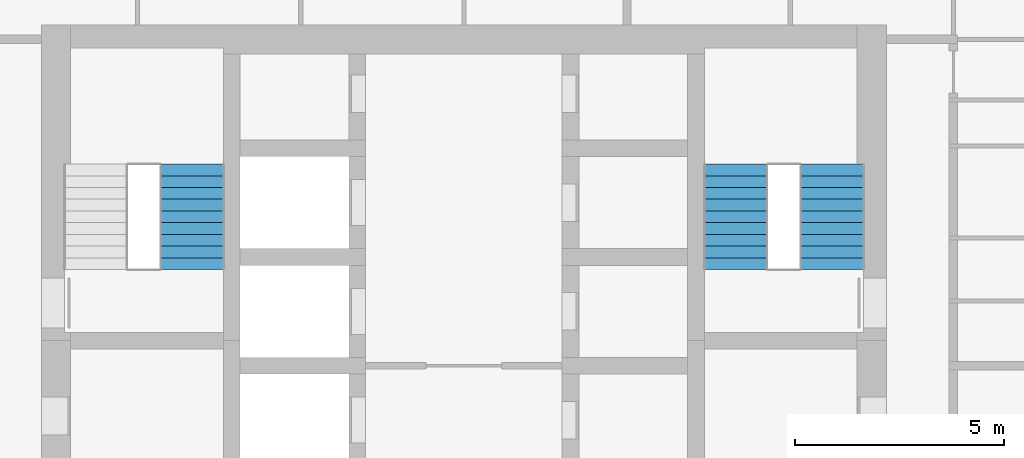
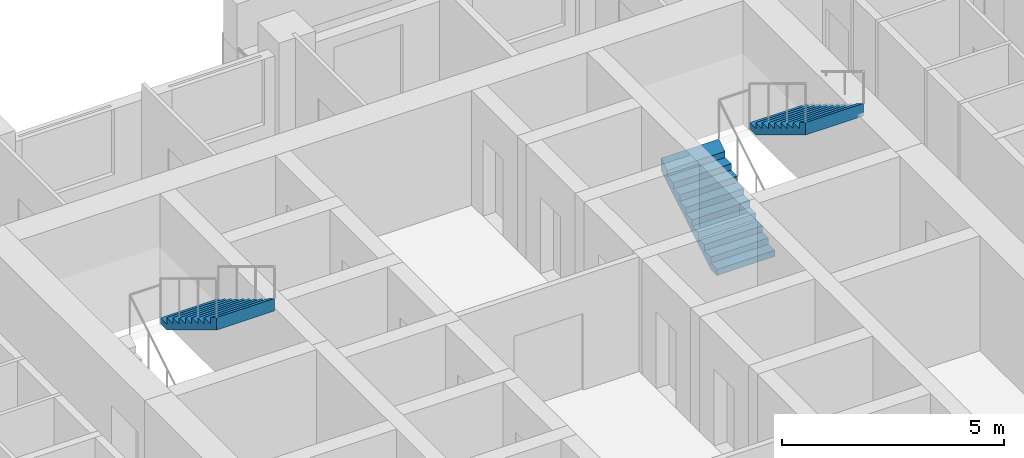
# One storey, part 16 of 18: 3 stair flights, 2 elements without a shape of their own.
"""IFC4 building model written with IfcOpenShell, lengths in metres."""

from ifc_helpers import new_model, si_unit, direction, frame, origin, place, context, subcontext, project, spatial, triangles, material, type_object, element, aggregate, save


model = new_model("IFC4")

# Units and contexts
model_context = context("Model", 3, precision=1e-05, world=origin(), true_north=direction((0.0, 1.0)))
body_context = subcontext(model_context, "Body", "Model", "MODEL_VIEW")
ifc_project = project(units=[si_unit("LENGTHUNIT", "METRE"), si_unit("AREAUNIT", "SQUARE_METRE"), si_unit("VOLUMEUNIT", "CUBIC_METRE"), si_unit("PLANEANGLEUNIT", "RADIAN"), si_unit("MASSUNIT", "GRAM", prefix="KILO")], contexts=[model_context])

# Site, building, storey
site_placement = place(None, origin())
site = spatial("IfcSite", under=ifc_project, at=site_placement, CompositionType="ELEMENT")
building_placement = place(site_placement, origin())
building = spatial("IfcBuilding", under=site, at=building_placement, Name="Ludao Terraces", CompositionType="ELEMENT")
storey_placement = place(building_placement, frame((0.0, 0.0, 75.0)))
storey = spatial("IfcBuildingStorey", under=building, at=storey_placement, Name="L20", CompositionType="ELEMENT", Elevation=75.0)

# Stair, stair flight
ifc_material = material(Name="Concrete C40", Category="concrete")
stair_type = type_object("IfcStairType", Name="INT Stair", PredefinedType="HALF_TURN_STAIR", material=ifc_material)
stair_1_placement = place(storey_placement, origin())
stair_1 = element("IfcStair", 1, at=stair_1_placement, inside=storey, type_object=stair_type, Name="EXIT STAIR 1", PredefinedType="HALF_TURN_STAIR")
stair_flight_type = type_object("IfcStairFlightType", Name="INT Stair flight", PredefinedType="STRAIGHT", material=ifc_material)
stair_flight_1_placement = place(storey_placement, frame((78.5, 81.52001953125, 1.699951171875), z_axis=(0.0, 0.0, 1.0), x_axis=(0.0, -1.0, 0.0)))
stair_flight_1 = element("IfcStairFlight", 2, at=stair_flight_1_placement, type_object=stair_flight_type, Name="ST1 flight 2", NumberOfRisers=10, NumberOfTreads=9, PredefinedType="STRAIGHT", RiserHeight=0.17, TreadLength=0.28, context=body_context, shape_type="Tessellation", body=[
    triangles([(0.0, -0.75, 0.0), (0.0, -0.5, 0.0), (0.0, -0.25, 0.0), (0.0, 0.0, 0.0), (0.0, 0.25, 0.0), (0.0, 0.5, 0.0), (0.0, 0.75, 0.0), (0.0, -0.75, 0.169921875), (0.0, -0.5, 0.169921875), (0.0, -0.25, 0.169921875), (0.0, 0.0, 0.169921875), (0.0, 0.25, 0.169921875), (0.0, 0.5, 0.169921875), (0.0, 0.75, 0.169921875), (0.280029296875, -0.75, 0.169921875), (0.280029296875, -0.5, 0.169921875), (0.280029296875, -0.25, 0.169921875), (0.280029296875, 0.0, 0.169921875), (0.280029296875, 0.25, 0.169921875), (0.280029296875, 0.5, 0.169921875), (0.280029296875, 0.75, 0.169921875), (0.280029296875, -0.75, 0.340087890625), (0.280029296875, -0.5, 0.340087890625), (0.280029296875, -0.25, 0.340087890625), (0.280029296875, 0.0, 0.340087890625), (0.280029296875, 0.25, 0.340087890625), (0.280029296875, 0.5, 0.340087890625), (0.280029296875, 0.75, 0.340087890625), (0.56005859375, -0.75, 0.340087890625), (0.56005859375, -0.5, 0.340087890625), (0.56005859375, -0.25, 0.340087890625), (0.56005859375, 0.0, 0.340087890625), (0.56005859375, 0.25, 0.340087890625), (0.56005859375, 0.5, 0.340087890625), (0.56005859375, 0.75, 0.340087890625), (0.56005859375, -0.75, 0.510009765625), (0.56005859375, -0.5, 0.510009765625), (0.56005859375, -0.25, 0.510009765625), (0.56005859375, 0.0, 0.510009765625), (0.56005859375, 0.25, 0.510009765625), (0.56005859375, 0.5, 0.510009765625), (0.56005859375, 0.75, 0.510009765625), (0.840087890625, -0.75, 0.510009765625), (0.840087890625, -0.5, 0.510009765625), (0.840087890625, -0.25, 0.510009765625), (0.840087890625, 0.0, 0.510009765625), (0.840087890625, 0.25, 0.510009765625), (0.840087890625, 0.5, 0.510009765625), (0.840087890625, 0.75, 0.510009765625), (0.840087890625, -0.75, 0.679931640625), (0.840087890625, -0.5, 0.679931640625), (0.840087890625, -0.25, 0.679931640625), (0.840087890625, 0.0, 0.679931640625), (0.840087890625, 0.25, 0.679931640625), (0.840087890625, 0.5, 0.679931640625), (0.840087890625, 0.75, 0.679931640625), (1.1201171875, -0.75, 0.679931640625), (1.1201171875, -0.5, 0.679931640625), (1.1201171875, -0.25, 0.679931640625), (1.1201171875, 0.0, 0.679931640625), (1.1201171875, 0.25, 0.679931640625), (1.1201171875, 0.5, 0.679931640625), (1.1201171875, 0.75, 0.679931640625), (1.1201171875, -0.75, 0.85009765625), (1.1201171875, -0.5, 0.85009765625), (1.1201171875, -0.25, 0.85009765625), (1.1201171875, 0.0, 0.85009765625), (1.1201171875, 0.25, 0.85009765625), (1.1201171875, 0.5, 0.85009765625), (1.1201171875, 0.75, 0.85009765625), (1.39990234375, -0.75, 0.85009765625), (1.39990234375, -0.5, 0.85009765625), (1.39990234375, -0.25, 0.85009765625), (1.39990234375, 0.0, 0.85009765625), (1.39990234375, 0.25, 0.85009765625), (1.39990234375, 0.5, 0.85009765625), (1.39990234375, 0.75, 0.85009765625), (1.39990234375, -0.75, 1.02001953125), (1.39990234375, -0.5, 1.02001953125), (1.39990234375, -0.25, 1.02001953125), (1.39990234375, 0.0, 1.02001953125), (1.39990234375, 0.25, 1.02001953125), (1.39990234375, 0.5, 1.02001953125), (1.39990234375, 0.75, 1.02001953125), (1.679931640625, -0.75, 1.02001953125), (1.679931640625, -0.5, 1.02001953125), (1.679931640625, -0.25, 1.02001953125), (1.679931640625, 0.0, 1.02001953125), (1.679931640625, 0.25, 1.02001953125), (1.679931640625, 0.5, 1.02001953125), (1.679931640625, 0.75, 1.02001953125), (1.679931640625, -0.75, 1.18994140625), (1.679931640625, -0.5, 1.18994140625), (1.679931640625, -0.25, 1.18994140625), (1.679931640625, 0.0, 1.18994140625), (1.679931640625, 0.25, 1.18994140625), (1.679931640625, 0.5, 1.18994140625), (1.679931640625, 0.75, 1.18994140625), (1.9599609375, -0.75, 1.18994140625), (1.9599609375, -0.5, 1.18994140625), (1.9599609375, -0.25, 1.18994140625), (1.9599609375, 0.0, 1.18994140625), (1.9599609375, 0.25, 1.18994140625), (1.9599609375, 0.5, 1.18994140625), (1.9599609375, 0.75, 1.18994140625), (1.9599609375, -0.75, 1.360107421875), (1.9599609375, -0.5, 1.360107421875), (1.9599609375, -0.25, 1.360107421875), (1.9599609375, 0.0, 1.360107421875), (1.9599609375, 0.25, 1.360107421875), (1.9599609375, 0.5, 1.360107421875), (1.9599609375, 0.75, 1.360107421875), (2.239990234375, -0.75, 1.360107421875), (2.239990234375, -0.5, 1.360107421875), (2.239990234375, -0.25, 1.360107421875), (2.239990234375, 0.0, 1.360107421875), (2.239990234375, 0.25, 1.360107421875), (2.239990234375, 0.5, 1.360107421875), (2.239990234375, 0.75, 1.360107421875), (2.239990234375, -0.75, 1.530029296875), (2.239990234375, -0.5, 1.530029296875), (2.239990234375, -0.25, 1.530029296875), (2.239990234375, 0.0, 1.530029296875), (2.239990234375, 0.25, 1.530029296875), (2.239990234375, 0.5, 1.530029296875), (2.239990234375, 0.75, 1.530029296875), (2.52001953125, -0.75, 1.699951171875), (2.52001953125, -0.5, 1.699951171875), (2.52001953125, -0.25, 1.699951171875), (2.52001953125, 0.0, 1.699951171875), (2.52001953125, 0.25, 1.699951171875), (2.52001953125, 0.5, 1.699951171875), (2.52001953125, 0.75, 1.699951171875), (2.52001953125, -0.75, 1.354736328125), (2.52001953125, -0.5, 1.354736328125), (2.52001953125, -0.25, 1.354736328125), (2.52001953125, 0.0, 1.354736328125), (2.52001953125, 0.25, 1.354736328125), (2.52001953125, 0.5, 1.354736328125), (2.52001953125, 0.75, 1.354736328125), (0.288818359375, -0.75, 0.0), (0.288818359375, -0.5, 0.0), (0.288818359375, -0.25, 0.0), (0.288818359375, 0.0, 0.0), (0.288818359375, 0.25, 0.0), (0.288818359375, 0.5, 0.0), (0.288818359375, 0.75, 0.0)], [[1, 141, 134], [7, 140, 147], [134, 127, 120], [140, 126, 133], [134, 120, 113], [140, 119, 126], [134, 113, 106], [140, 112, 119], [134, 106, 99], [140, 105, 112], [99, 92, 85], [105, 91, 98], [134, 99, 85], [140, 91, 105], [85, 78, 71], [91, 77, 84], [134, 85, 71], [140, 77, 91], [71, 64, 57], [77, 63, 70], [134, 71, 57], [140, 63, 77], [57, 50, 43], [63, 49, 56], [134, 57, 43], [140, 49, 63], [43, 36, 29], [49, 35, 42], [134, 43, 29], [140, 35, 49], [29, 22, 15], [35, 21, 28], [134, 29, 15], [140, 21, 35], [1, 134, 15], [7, 21, 140], [15, 8, 1], [21, 7, 14], [1, 9, 2], [1, 8, 9], [2, 10, 3], [2, 9, 10], [3, 11, 4], [3, 10, 11], [4, 12, 5], [4, 11, 12], [5, 13, 6], [5, 12, 13], [6, 14, 7], [6, 13, 14], [8, 16, 9], [8, 15, 16], [9, 17, 10], [9, 16, 17], [10, 18, 11], [10, 17, 18], [11, 19, 12], [11, 18, 19], [12, 20, 13], [12, 19, 20], [13, 21, 14], [13, 20, 21], [15, 23, 16], [15, 22, 23], [16, 24, 17], [16, 23, 24], [17, 25, 18], [17, 24, 25], [18, 26, 19], [18, 25, 26], [19, 27, 20], [19, 26, 27], [20, 28, 21], [20, 27, 28], [22, 30, 23], [22, 29, 30], [23, 31, 24], [23, 30, 31], [24, 32, 25], [24, 31, 32], [25, 33, 26], [25, 32, 33], [26, 34, 27], [26, 33, 34], [27, 35, 28], [27, 34, 35], [29, 37, 30], [29, 36, 37], [30, 38, 31], [30, 37, 38], [31, 39, 32], [31, 38, 39], [32, 40, 33], [32, 39, 40], [33, 41, 34], [33, 40, 41], [34, 42, 35], [34, 41, 42], [36, 44, 37], [36, 43, 44], [37, 45, 38], [37, 44, 45], [38, 46, 39], [38, 45, 46], [39, 47, 40], [39, 46, 47], [40, 48, 41], [40, 47, 48], [41, 49, 42], [41, 48, 49], [43, 51, 44], [43, 50, 51], [44, 52, 45], [44, 51, 52], [45, 53, 46], [45, 52, 53], [46, 54, 47], [46, 53, 54], [47, 55, 48], [47, 54, 55], [48, 56, 49], [48, 55, 56], [50, 58, 51], [50, 57, 58], [51, 59, 52], [51, 58, 59], [52, 60, 53], [52, 59, 60], [53, 61, 54], [53, 60, 61], [54, 62, 55], [54, 61, 62], [55, 63, 56], [55, 62, 63], [57, 65, 58], [57, 64, 65], [58, 66, 59], [58, 65, 66], [59, 67, 60], [59, 66, 67], [60, 68, 61], [60, 67, 68], [61, 69, 62], [61, 68, 69], [62, 70, 63], [62, 69, 70], [64, 72, 65], [64, 71, 72], [65, 73, 66], [65, 72, 73], [66, 74, 67], [66, 73, 74], [67, 75, 68], [67, 74, 75], [68, 76, 69], [68, 75, 76], [69, 77, 70], [69, 76, 77], [71, 79, 72], [71, 78, 79], [72, 80, 73], [72, 79, 80], [73, 81, 74], [73, 80, 81], [74, 82, 75], [74, 81, 82], [75, 83, 76], [75, 82, 83], [76, 84, 77], [76, 83, 84], [78, 86, 79], [78, 85, 86], [79, 87, 80], [79, 86, 87], [80, 88, 81], [80, 87, 88], [81, 89, 82], [81, 88, 89], [82, 90, 83], [82, 89, 90], [83, 91, 84], [83, 90, 91], [85, 93, 86], [85, 92, 93], [86, 94, 87], [86, 93, 94], [87, 95, 88], [87, 94, 95], [88, 96, 89], [88, 95, 96], [89, 97, 90], [89, 96, 97], [90, 98, 91], [90, 97, 98], [92, 100, 93], [92, 99, 100], [93, 101, 94], [93, 100, 101], [94, 102, 95], [94, 101, 102], [95, 103, 96], [95, 102, 103], [96, 104, 97], [96, 103, 104], [97, 105, 98], [97, 104, 105], [99, 107, 100], [99, 106, 107], [100, 108, 101], [100, 107, 108], [101, 109, 102], [101, 108, 109], [102, 110, 103], [102, 109, 110], [103, 111, 104], [103, 110, 111], [104, 112, 105], [104, 111, 112], [106, 114, 107], [106, 113, 114], [107, 115, 108], [107, 114, 115], [108, 116, 109], [108, 115, 116], [109, 117, 110], [109, 116, 117], [110, 118, 111], [110, 117, 118], [111, 119, 112], [111, 118, 119], [113, 121, 114], [113, 120, 121], [114, 122, 115], [114, 121, 122], [115, 123, 116], [115, 122, 123], [116, 124, 117], [116, 123, 124], [117, 125, 118], [117, 124, 125], [118, 126, 119], [118, 125, 126], [120, 128, 121], [120, 127, 128], [121, 129, 122], [121, 128, 129], [122, 130, 123], [122, 129, 130], [123, 131, 124], [123, 130, 131], [124, 132, 125], [124, 131, 132], [125, 133, 126], [125, 132, 133], [127, 135, 128], [127, 134, 135], [128, 136, 129], [128, 135, 136], [129, 137, 130], [129, 136, 137], [130, 138, 131], [130, 137, 138], [131, 139, 132], [131, 138, 139], [132, 140, 133], [132, 139, 140], [134, 142, 135], [134, 141, 142], [135, 143, 136], [135, 142, 143], [136, 144, 137], [136, 143, 144], [137, 145, 138], [137, 144, 145], [138, 146, 139], [138, 145, 146], [139, 147, 140], [139, 146, 147], [141, 2, 142], [141, 1, 2], [142, 3, 143], [142, 2, 3], [143, 4, 144], [143, 3, 4], [144, 5, 145], [144, 4, 5], [145, 6, 146], [145, 5, 6], [146, 7, 147], [146, 6, 7]], closed=True),
])
aggregate(stair_1, [stair_flight_1])

# Stair, stair flights
stair_2_placement = place(storey_placement, origin())
stair_2 = element("IfcStair", 3, at=stair_2_placement, inside=storey, type_object=stair_type, Name="EXIT STAIR 2", PredefinedType="HALF_TURN_STAIR")
stair_flight_2_placement = place(storey_placement, frame((91.5, 79.0, 0.0), z_axis=(0.0, 0.0, 1.0), x_axis=(0.0, 1.0, 0.0)))
stair_flight_2 = element("IfcStairFlight", 4, at=stair_flight_2_placement, type_object=stair_flight_type, Name="ST2 flight 1", NumberOfRisers=10, NumberOfTreads=9, PredefinedType="STRAIGHT", RiserHeight=0.17, TreadLength=0.28, context=body_context, shape_type="Tessellation", body=[
    triangles([(0.0, -0.75, 0.0), (0.0, -0.5, 0.0), (0.0, -0.25, 0.0), (0.0, 0.0, 0.0), (0.0, 0.25, 0.0), (0.0, 0.5, 0.0), (0.0, 0.75, 0.0), (0.0, -0.75, 0.169921875), (0.0, -0.5, 0.169921875), (0.0, -0.25, 0.169921875), (0.0, 0.0, 0.169921875), (0.0, 0.25, 0.169921875), (0.0, 0.5, 0.169921875), (0.0, 0.75, 0.169921875), (0.280029296875, -0.75, 0.169921875), (0.280029296875, -0.5, 0.169921875), (0.280029296875, -0.25, 0.169921875), (0.280029296875, 0.0, 0.169921875), (0.280029296875, 0.25, 0.169921875), (0.280029296875, 0.5, 0.169921875), (0.280029296875, 0.75, 0.169921875), (0.280029296875, -0.75, 0.340087890625), (0.280029296875, -0.5, 0.340087890625), (0.280029296875, -0.25, 0.340087890625), (0.280029296875, 0.0, 0.340087890625), (0.280029296875, 0.25, 0.340087890625), (0.280029296875, 0.5, 0.340087890625), (0.280029296875, 0.75, 0.340087890625), (0.56005859375, -0.75, 0.340087890625), (0.56005859375, -0.5, 0.340087890625), (0.56005859375, -0.25, 0.340087890625), (0.56005859375, 0.0, 0.340087890625), (0.56005859375, 0.25, 0.340087890625), (0.56005859375, 0.5, 0.340087890625), (0.56005859375, 0.75, 0.340087890625), (0.56005859375, -0.75, 0.510009765625), (0.56005859375, -0.5, 0.510009765625), (0.56005859375, -0.25, 0.510009765625), (0.56005859375, 0.0, 0.510009765625), (0.56005859375, 0.25, 0.510009765625), (0.56005859375, 0.5, 0.510009765625), (0.56005859375, 0.75, 0.510009765625), (0.840087890625, -0.75, 0.510009765625), (0.840087890625, -0.5, 0.510009765625), (0.840087890625, -0.25, 0.510009765625), (0.840087890625, 0.0, 0.510009765625), (0.840087890625, 0.25, 0.510009765625), (0.840087890625, 0.5, 0.510009765625), (0.840087890625, 0.75, 0.510009765625), (0.840087890625, -0.75, 0.679931640625), (0.840087890625, -0.5, 0.679931640625), (0.840087890625, -0.25, 0.679931640625), (0.840087890625, 0.0, 0.679931640625), (0.840087890625, 0.25, 0.679931640625), (0.840087890625, 0.5, 0.679931640625), (0.840087890625, 0.75, 0.679931640625), (1.1201171875, -0.75, 0.679931640625), (1.1201171875, -0.5, 0.679931640625), (1.1201171875, -0.25, 0.679931640625), (1.1201171875, 0.0, 0.679931640625), (1.1201171875, 0.25, 0.679931640625), (1.1201171875, 0.5, 0.679931640625), (1.1201171875, 0.75, 0.679931640625), (1.1201171875, -0.75, 0.85009765625), (1.1201171875, -0.5, 0.85009765625), (1.1201171875, -0.25, 0.85009765625), (1.1201171875, 0.0, 0.85009765625), (1.1201171875, 0.25, 0.85009765625), (1.1201171875, 0.5, 0.85009765625), (1.1201171875, 0.75, 0.85009765625), (1.39990234375, -0.75, 0.85009765625), (1.39990234375, -0.5, 0.85009765625), (1.39990234375, -0.25, 0.85009765625), (1.39990234375, 0.0, 0.85009765625), (1.39990234375, 0.25, 0.85009765625), (1.39990234375, 0.5, 0.85009765625), (1.39990234375, 0.75, 0.85009765625), (1.39990234375, -0.75, 1.02001953125), (1.39990234375, -0.5, 1.02001953125), (1.39990234375, -0.25, 1.02001953125), (1.39990234375, 0.0, 1.02001953125), (1.39990234375, 0.25, 1.02001953125), (1.39990234375, 0.5, 1.02001953125), (1.39990234375, 0.75, 1.02001953125), (1.679931640625, -0.75, 1.02001953125), (1.679931640625, -0.5, 1.02001953125), (1.679931640625, -0.25, 1.02001953125), (1.679931640625, 0.0, 1.02001953125), (1.679931640625, 0.25, 1.02001953125), (1.679931640625, 0.5, 1.02001953125), (1.679931640625, 0.75, 1.02001953125), (1.679931640625, -0.75, 1.18994140625), (1.679931640625, -0.5, 1.18994140625), (1.679931640625, -0.25, 1.18994140625), (1.679931640625, 0.0, 1.18994140625), (1.679931640625, 0.25, 1.18994140625), (1.679931640625, 0.5, 1.18994140625), (1.679931640625, 0.75, 1.18994140625), (1.9599609375, -0.75, 1.18994140625), (1.9599609375, -0.5, 1.18994140625), (1.9599609375, -0.25, 1.18994140625), (1.9599609375, 0.0, 1.18994140625), (1.9599609375, 0.25, 1.18994140625), (1.9599609375, 0.5, 1.18994140625), (1.9599609375, 0.75, 1.18994140625), (1.9599609375, -0.75, 1.360107421875), (1.9599609375, -0.5, 1.360107421875), (1.9599609375, -0.25, 1.360107421875), (1.9599609375, 0.0, 1.360107421875), (1.9599609375, 0.25, 1.360107421875), (1.9599609375, 0.5, 1.360107421875), (1.9599609375, 0.75, 1.360107421875), (2.239990234375, -0.75, 1.360107421875), (2.239990234375, -0.5, 1.360107421875), (2.239990234375, -0.25, 1.360107421875), (2.239990234375, 0.0, 1.360107421875), (2.239990234375, 0.25, 1.360107421875), (2.239990234375, 0.5, 1.360107421875), (2.239990234375, 0.75, 1.360107421875), (2.239990234375, -0.75, 1.530029296875), (2.239990234375, -0.5, 1.530029296875), (2.239990234375, -0.25, 1.530029296875), (2.239990234375, 0.0, 1.530029296875), (2.239990234375, 0.25, 1.530029296875), (2.239990234375, 0.5, 1.530029296875), (2.239990234375, 0.75, 1.530029296875), (2.52001953125, -0.75, 1.699951171875), (2.52001953125, -0.5, 1.699951171875), (2.52001953125, -0.25, 1.699951171875), (2.52001953125, 0.0, 1.699951171875), (2.52001953125, 0.25, 1.699951171875), (2.52001953125, 0.5, 1.699951171875), (2.52001953125, 0.75, 1.699951171875), (2.52001953125, -0.75, 1.354736328125), (2.52001953125, -0.5, 1.354736328125), (2.52001953125, -0.25, 1.354736328125), (2.52001953125, 0.0, 1.354736328125), (2.52001953125, 0.25, 1.354736328125), (2.52001953125, 0.5, 1.354736328125), (2.52001953125, 0.75, 1.354736328125), (0.288818359375, -0.75, 0.0), (0.288818359375, -0.5, 0.0), (0.288818359375, -0.25, 0.0), (0.288818359375, 0.0, 0.0), (0.288818359375, 0.25, 0.0), (0.288818359375, 0.5, 0.0), (0.288818359375, 0.75, 0.0)], [[1, 141, 134], [7, 140, 147], [134, 127, 120], [140, 126, 133], [134, 120, 113], [140, 119, 126], [134, 113, 106], [140, 112, 119], [134, 106, 99], [140, 105, 112], [99, 92, 85], [105, 91, 98], [134, 99, 85], [140, 91, 105], [85, 78, 71], [91, 77, 84], [134, 85, 71], [140, 77, 91], [71, 64, 57], [77, 63, 70], [134, 71, 57], [140, 63, 77], [57, 50, 43], [63, 49, 56], [134, 57, 43], [140, 49, 63], [43, 36, 29], [49, 35, 42], [134, 43, 29], [140, 35, 49], [29, 22, 15], [35, 21, 28], [134, 29, 15], [140, 21, 35], [1, 134, 15], [7, 21, 140], [15, 8, 1], [21, 7, 14], [1, 9, 2], [1, 8, 9], [2, 10, 3], [2, 9, 10], [3, 11, 4], [3, 10, 11], [4, 12, 5], [4, 11, 12], [5, 13, 6], [5, 12, 13], [6, 14, 7], [6, 13, 14], [8, 16, 9], [8, 15, 16], [9, 17, 10], [9, 16, 17], [10, 18, 11], [10, 17, 18], [11, 19, 12], [11, 18, 19], [12, 20, 13], [12, 19, 20], [13, 21, 14], [13, 20, 21], [15, 23, 16], [15, 22, 23], [16, 24, 17], [16, 23, 24], [17, 25, 18], [17, 24, 25], [18, 26, 19], [18, 25, 26], [19, 27, 20], [19, 26, 27], [20, 28, 21], [20, 27, 28], [22, 30, 23], [22, 29, 30], [23, 31, 24], [23, 30, 31], [24, 32, 25], [24, 31, 32], [25, 33, 26], [25, 32, 33], [26, 34, 27], [26, 33, 34], [27, 35, 28], [27, 34, 35], [29, 37, 30], [29, 36, 37], [30, 38, 31], [30, 37, 38], [31, 39, 32], [31, 38, 39], [32, 40, 33], [32, 39, 40], [33, 41, 34], [33, 40, 41], [34, 42, 35], [34, 41, 42], [36, 44, 37], [36, 43, 44], [37, 45, 38], [37, 44, 45], [38, 46, 39], [38, 45, 46], [39, 47, 40], [39, 46, 47], [40, 48, 41], [40, 47, 48], [41, 49, 42], [41, 48, 49], [43, 51, 44], [43, 50, 51], [44, 52, 45], [44, 51, 52], [45, 53, 46], [45, 52, 53], [46, 54, 47], [46, 53, 54], [47, 55, 48], [47, 54, 55], [48, 56, 49], [48, 55, 56], [50, 58, 51], [50, 57, 58], [51, 59, 52], [51, 58, 59], [52, 60, 53], [52, 59, 60], [53, 61, 54], [53, 60, 61], [54, 62, 55], [54, 61, 62], [55, 63, 56], [55, 62, 63], [57, 65, 58], [57, 64, 65], [58, 66, 59], [58, 65, 66], [59, 67, 60], [59, 66, 67], [60, 68, 61], [60, 67, 68], [61, 69, 62], [61, 68, 69], [62, 70, 63], [62, 69, 70], [64, 72, 65], [64, 71, 72], [65, 73, 66], [65, 72, 73], [66, 74, 67], [66, 73, 74], [67, 75, 68], [67, 74, 75], [68, 76, 69], [68, 75, 76], [69, 77, 70], [69, 76, 77], [71, 79, 72], [71, 78, 79], [72, 80, 73], [72, 79, 80], [73, 81, 74], [73, 80, 81], [74, 82, 75], [74, 81, 82], [75, 83, 76], [75, 82, 83], [76, 84, 77], [76, 83, 84], [78, 86, 79], [78, 85, 86], [79, 87, 80], [79, 86, 87], [80, 88, 81], [80, 87, 88], [81, 89, 82], [81, 88, 89], [82, 90, 83], [82, 89, 90], [83, 91, 84], [83, 90, 91], [85, 93, 86], [85, 92, 93], [86, 94, 87], [86, 93, 94], [87, 95, 88], [87, 94, 95], [88, 96, 89], [88, 95, 96], [89, 97, 90], [89, 96, 97], [90, 98, 91], [90, 97, 98], [92, 100, 93], [92, 99, 100], [93, 101, 94], [93, 100, 101], [94, 102, 95], [94, 101, 102], [95, 103, 96], [95, 102, 103], [96, 104, 97], [96, 103, 104], [97, 105, 98], [97, 104, 105], [99, 107, 100], [99, 106, 107], [100, 108, 101], [100, 107, 108], [101, 109, 102], [101, 108, 109], [102, 110, 103], [102, 109, 110], [103, 111, 104], [103, 110, 111], [104, 112, 105], [104, 111, 112], [106, 114, 107], [106, 113, 114], [107, 115, 108], [107, 114, 115], [108, 116, 109], [108, 115, 116], [109, 117, 110], [109, 116, 117], [110, 118, 111], [110, 117, 118], [111, 119, 112], [111, 118, 119], [113, 121, 114], [113, 120, 121], [114, 122, 115], [114, 121, 122], [115, 123, 116], [115, 122, 123], [116, 124, 117], [116, 123, 124], [117, 125, 118], [117, 124, 125], [118, 126, 119], [118, 125, 126], [120, 128, 121], [120, 127, 128], [121, 129, 122], [121, 128, 129], [122, 130, 123], [122, 129, 130], [123, 131, 124], [123, 130, 131], [124, 132, 125], [124, 131, 132], [125, 133, 126], [125, 132, 133], [127, 135, 128], [127, 134, 135], [128, 136, 129], [128, 135, 136], [129, 137, 130], [129, 136, 137], [130, 138, 131], [130, 137, 138], [131, 139, 132], [131, 138, 139], [132, 140, 133], [132, 139, 140], [134, 142, 135], [134, 141, 142], [135, 143, 136], [135, 142, 143], [136, 144, 137], [136, 143, 144], [137, 145, 138], [137, 144, 145], [138, 146, 139], [138, 145, 146], [139, 147, 140], [139, 146, 147], [141, 2, 142], [141, 1, 2], [142, 3, 143], [142, 2, 3], [143, 4, 144], [143, 3, 4], [144, 5, 145], [144, 4, 5], [145, 6, 146], [145, 5, 6], [146, 7, 147], [146, 6, 7]], closed=True),
])
stair_flight_3_placement = place(storey_placement, frame((93.800048828125, 81.52001953125, 1.699951171875), z_axis=(0.0, 0.0, 1.0), x_axis=(0.0, -1.0, 0.0)))
stair_flight_3 = element("IfcStairFlight", 5, at=stair_flight_3_placement, type_object=stair_flight_type, Name="ST2 flight 2", NumberOfRisers=10, NumberOfTreads=9, PredefinedType="STRAIGHT", RiserHeight=0.17, TreadLength=0.28, context=body_context, shape_type="Tessellation", body=[
    triangles([(0.0, -0.75, 0.0), (0.0, -0.5, 0.0), (0.0, -0.25, 0.0), (0.0, 0.0, 0.0), (0.0, 0.25, 0.0), (0.0, 0.5, 0.0), (0.0, 0.75, 0.0), (0.0, -0.75, 0.169921875), (0.0, -0.5, 0.169921875), (0.0, -0.25, 0.169921875), (0.0, 0.0, 0.169921875), (0.0, 0.25, 0.169921875), (0.0, 0.5, 0.169921875), (0.0, 0.75, 0.169921875), (0.280029296875, -0.75, 0.169921875), (0.280029296875, -0.5, 0.169921875), (0.280029296875, -0.25, 0.169921875), (0.280029296875, 0.0, 0.169921875), (0.280029296875, 0.25, 0.169921875), (0.280029296875, 0.5, 0.169921875), (0.280029296875, 0.75, 0.169921875), (0.280029296875, -0.75, 0.340087890625), (0.280029296875, -0.5, 0.340087890625), (0.280029296875, -0.25, 0.340087890625), (0.280029296875, 0.0, 0.340087890625), (0.280029296875, 0.25, 0.340087890625), (0.280029296875, 0.5, 0.340087890625), (0.280029296875, 0.75, 0.340087890625), (0.56005859375, -0.75, 0.340087890625), (0.56005859375, -0.5, 0.340087890625), (0.56005859375, -0.25, 0.340087890625), (0.56005859375, 0.0, 0.340087890625), (0.56005859375, 0.25, 0.340087890625), (0.56005859375, 0.5, 0.340087890625), (0.56005859375, 0.75, 0.340087890625), (0.56005859375, -0.75, 0.510009765625), (0.56005859375, -0.5, 0.510009765625), (0.56005859375, -0.25, 0.510009765625), (0.56005859375, 0.0, 0.510009765625), (0.56005859375, 0.25, 0.510009765625), (0.56005859375, 0.5, 0.510009765625), (0.56005859375, 0.75, 0.510009765625), (0.840087890625, -0.75, 0.510009765625), (0.840087890625, -0.5, 0.510009765625), (0.840087890625, -0.25, 0.510009765625), (0.840087890625, 0.0, 0.510009765625), (0.840087890625, 0.25, 0.510009765625), (0.840087890625, 0.5, 0.510009765625), (0.840087890625, 0.75, 0.510009765625), (0.840087890625, -0.75, 0.679931640625), (0.840087890625, -0.5, 0.679931640625), (0.840087890625, -0.25, 0.679931640625), (0.840087890625, 0.0, 0.679931640625), (0.840087890625, 0.25, 0.679931640625), (0.840087890625, 0.5, 0.679931640625), (0.840087890625, 0.75, 0.679931640625), (1.1201171875, -0.75, 0.679931640625), (1.1201171875, -0.5, 0.679931640625), (1.1201171875, -0.25, 0.679931640625), (1.1201171875, 0.0, 0.679931640625), (1.1201171875, 0.25, 0.679931640625), (1.1201171875, 0.5, 0.679931640625), (1.1201171875, 0.75, 0.679931640625), (1.1201171875, -0.75, 0.85009765625), (1.1201171875, -0.5, 0.85009765625), (1.1201171875, -0.25, 0.85009765625), (1.1201171875, 0.0, 0.85009765625), (1.1201171875, 0.25, 0.85009765625), (1.1201171875, 0.5, 0.85009765625), (1.1201171875, 0.75, 0.85009765625), (1.39990234375, -0.75, 0.85009765625), (1.39990234375, -0.5, 0.85009765625), (1.39990234375, -0.25, 0.85009765625), (1.39990234375, 0.0, 0.85009765625), (1.39990234375, 0.25, 0.85009765625), (1.39990234375, 0.5, 0.85009765625), (1.39990234375, 0.75, 0.85009765625), (1.39990234375, -0.75, 1.02001953125), (1.39990234375, -0.5, 1.02001953125), (1.39990234375, -0.25, 1.02001953125), (1.39990234375, 0.0, 1.02001953125), (1.39990234375, 0.25, 1.02001953125), (1.39990234375, 0.5, 1.02001953125), (1.39990234375, 0.75, 1.02001953125), (1.679931640625, -0.75, 1.02001953125), (1.679931640625, -0.5, 1.02001953125), (1.679931640625, -0.25, 1.02001953125), (1.679931640625, 0.0, 1.02001953125), (1.679931640625, 0.25, 1.02001953125), (1.679931640625, 0.5, 1.02001953125), (1.679931640625, 0.75, 1.02001953125), (1.679931640625, -0.75, 1.18994140625), (1.679931640625, -0.5, 1.18994140625), (1.679931640625, -0.25, 1.18994140625), (1.679931640625, 0.0, 1.18994140625), (1.679931640625, 0.25, 1.18994140625), (1.679931640625, 0.5, 1.18994140625), (1.679931640625, 0.75, 1.18994140625), (1.9599609375, -0.75, 1.18994140625), (1.9599609375, -0.5, 1.18994140625), (1.9599609375, -0.25, 1.18994140625), (1.9599609375, 0.0, 1.18994140625), (1.9599609375, 0.25, 1.18994140625), (1.9599609375, 0.5, 1.18994140625), (1.9599609375, 0.75, 1.18994140625), (1.9599609375, -0.75, 1.360107421875), (1.9599609375, -0.5, 1.360107421875), (1.9599609375, -0.25, 1.360107421875), (1.9599609375, 0.0, 1.360107421875), (1.9599609375, 0.25, 1.360107421875), (1.9599609375, 0.5, 1.360107421875), (1.9599609375, 0.75, 1.360107421875), (2.239990234375, -0.75, 1.360107421875), (2.239990234375, -0.5, 1.360107421875), (2.239990234375, -0.25, 1.360107421875), (2.239990234375, 0.0, 1.360107421875), (2.239990234375, 0.25, 1.360107421875), (2.239990234375, 0.5, 1.360107421875), (2.239990234375, 0.75, 1.360107421875), (2.239990234375, -0.75, 1.530029296875), (2.239990234375, -0.5, 1.530029296875), (2.239990234375, -0.25, 1.530029296875), (2.239990234375, 0.0, 1.530029296875), (2.239990234375, 0.25, 1.530029296875), (2.239990234375, 0.5, 1.530029296875), (2.239990234375, 0.75, 1.530029296875), (2.52001953125, -0.75, 1.699951171875), (2.52001953125, -0.5, 1.699951171875), (2.52001953125, -0.25, 1.699951171875), (2.52001953125, 0.0, 1.699951171875), (2.52001953125, 0.25, 1.699951171875), (2.52001953125, 0.5, 1.699951171875), (2.52001953125, 0.75, 1.699951171875), (2.52001953125, -0.75, 1.354736328125), (2.52001953125, -0.5, 1.354736328125), (2.52001953125, -0.25, 1.354736328125), (2.52001953125, 0.0, 1.354736328125), (2.52001953125, 0.25, 1.354736328125), (2.52001953125, 0.5, 1.354736328125), (2.52001953125, 0.75, 1.354736328125), (0.288818359375, -0.75, 0.0), (0.288818359375, -0.5, 0.0), (0.288818359375, -0.25, 0.0), (0.288818359375, 0.0, 0.0), (0.288818359375, 0.25, 0.0), (0.288818359375, 0.5, 0.0), (0.288818359375, 0.75, 0.0)], [[1, 141, 134], [7, 140, 147], [134, 127, 120], [140, 126, 133], [134, 120, 113], [140, 119, 126], [134, 113, 106], [140, 112, 119], [134, 106, 99], [140, 105, 112], [99, 92, 85], [105, 91, 98], [134, 99, 85], [140, 91, 105], [85, 78, 71], [91, 77, 84], [134, 85, 71], [140, 77, 91], [71, 64, 57], [77, 63, 70], [134, 71, 57], [140, 63, 77], [57, 50, 43], [63, 49, 56], [134, 57, 43], [140, 49, 63], [43, 36, 29], [49, 35, 42], [134, 43, 29], [140, 35, 49], [29, 22, 15], [35, 21, 28], [134, 29, 15], [140, 21, 35], [1, 134, 15], [7, 21, 140], [15, 8, 1], [21, 7, 14], [1, 9, 2], [1, 8, 9], [2, 10, 3], [2, 9, 10], [3, 11, 4], [3, 10, 11], [4, 12, 5], [4, 11, 12], [5, 13, 6], [5, 12, 13], [6, 14, 7], [6, 13, 14], [8, 16, 9], [8, 15, 16], [9, 17, 10], [9, 16, 17], [10, 18, 11], [10, 17, 18], [11, 19, 12], [11, 18, 19], [12, 20, 13], [12, 19, 20], [13, 21, 14], [13, 20, 21], [15, 23, 16], [15, 22, 23], [16, 24, 17], [16, 23, 24], [17, 25, 18], [17, 24, 25], [18, 26, 19], [18, 25, 26], [19, 27, 20], [19, 26, 27], [20, 28, 21], [20, 27, 28], [22, 30, 23], [22, 29, 30], [23, 31, 24], [23, 30, 31], [24, 32, 25], [24, 31, 32], [25, 33, 26], [25, 32, 33], [26, 34, 27], [26, 33, 34], [27, 35, 28], [27, 34, 35], [29, 37, 30], [29, 36, 37], [30, 38, 31], [30, 37, 38], [31, 39, 32], [31, 38, 39], [32, 40, 33], [32, 39, 40], [33, 41, 34], [33, 40, 41], [34, 42, 35], [34, 41, 42], [36, 44, 37], [36, 43, 44], [37, 45, 38], [37, 44, 45], [38, 46, 39], [38, 45, 46], [39, 47, 40], [39, 46, 47], [40, 48, 41], [40, 47, 48], [41, 49, 42], [41, 48, 49], [43, 51, 44], [43, 50, 51], [44, 52, 45], [44, 51, 52], [45, 53, 46], [45, 52, 53], [46, 54, 47], [46, 53, 54], [47, 55, 48], [47, 54, 55], [48, 56, 49], [48, 55, 56], [50, 58, 51], [50, 57, 58], [51, 59, 52], [51, 58, 59], [52, 60, 53], [52, 59, 60], [53, 61, 54], [53, 60, 61], [54, 62, 55], [54, 61, 62], [55, 63, 56], [55, 62, 63], [57, 65, 58], [57, 64, 65], [58, 66, 59], [58, 65, 66], [59, 67, 60], [59, 66, 67], [60, 68, 61], [60, 67, 68], [61, 69, 62], [61, 68, 69], [62, 70, 63], [62, 69, 70], [64, 72, 65], [64, 71, 72], [65, 73, 66], [65, 72, 73], [66, 74, 67], [66, 73, 74], [67, 75, 68], [67, 74, 75], [68, 76, 69], [68, 75, 76], [69, 77, 70], [69, 76, 77], [71, 79, 72], [71, 78, 79], [72, 80, 73], [72, 79, 80], [73, 81, 74], [73, 80, 81], [74, 82, 75], [74, 81, 82], [75, 83, 76], [75, 82, 83], [76, 84, 77], [76, 83, 84], [78, 86, 79], [78, 85, 86], [79, 87, 80], [79, 86, 87], [80, 88, 81], [80, 87, 88], [81, 89, 82], [81, 88, 89], [82, 90, 83], [82, 89, 90], [83, 91, 84], [83, 90, 91], [85, 93, 86], [85, 92, 93], [86, 94, 87], [86, 93, 94], [87, 95, 88], [87, 94, 95], [88, 96, 89], [88, 95, 96], [89, 97, 90], [89, 96, 97], [90, 98, 91], [90, 97, 98], [92, 100, 93], [92, 99, 100], [93, 101, 94], [93, 100, 101], [94, 102, 95], [94, 101, 102], [95, 103, 96], [95, 102, 103], [96, 104, 97], [96, 103, 104], [97, 105, 98], [97, 104, 105], [99, 107, 100], [99, 106, 107], [100, 108, 101], [100, 107, 108], [101, 109, 102], [101, 108, 109], [102, 110, 103], [102, 109, 110], [103, 111, 104], [103, 110, 111], [104, 112, 105], [104, 111, 112], [106, 114, 107], [106, 113, 114], [107, 115, 108], [107, 114, 115], [108, 116, 109], [108, 115, 116], [109, 117, 110], [109, 116, 117], [110, 118, 111], [110, 117, 118], [111, 119, 112], [111, 118, 119], [113, 121, 114], [113, 120, 121], [114, 122, 115], [114, 121, 122], [115, 123, 116], [115, 122, 123], [116, 124, 117], [116, 123, 124], [117, 125, 118], [117, 124, 125], [118, 126, 119], [118, 125, 126], [120, 128, 121], [120, 127, 128], [121, 129, 122], [121, 128, 129], [122, 130, 123], [122, 129, 130], [123, 131, 124], [123, 130, 131], [124, 132, 125], [124, 131, 132], [125, 133, 126], [125, 132, 133], [127, 135, 128], [127, 134, 135], [128, 136, 129], [128, 135, 136], [129, 137, 130], [129, 136, 137], [130, 138, 131], [130, 137, 138], [131, 139, 132], [131, 138, 139], [132, 140, 133], [132, 139, 140], [134, 142, 135], [134, 141, 142], [135, 143, 136], [135, 142, 143], [136, 144, 137], [136, 143, 144], [137, 145, 138], [137, 144, 145], [138, 146, 139], [138, 145, 146], [139, 147, 140], [139, 146, 147], [141, 2, 142], [141, 1, 2], [142, 3, 143], [142, 2, 3], [143, 4, 144], [143, 3, 4], [144, 5, 145], [144, 4, 5], [145, 6, 146], [145, 5, 6], [146, 7, 147], [146, 6, 7]], closed=True),
])
aggregate(stair_2, [stair_flight_2, stair_flight_3])

save(model, "model.ifc")
